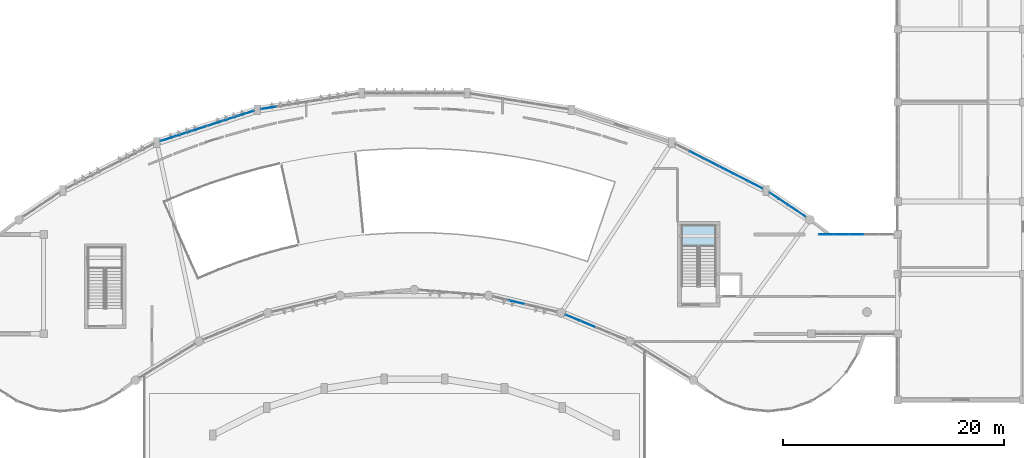
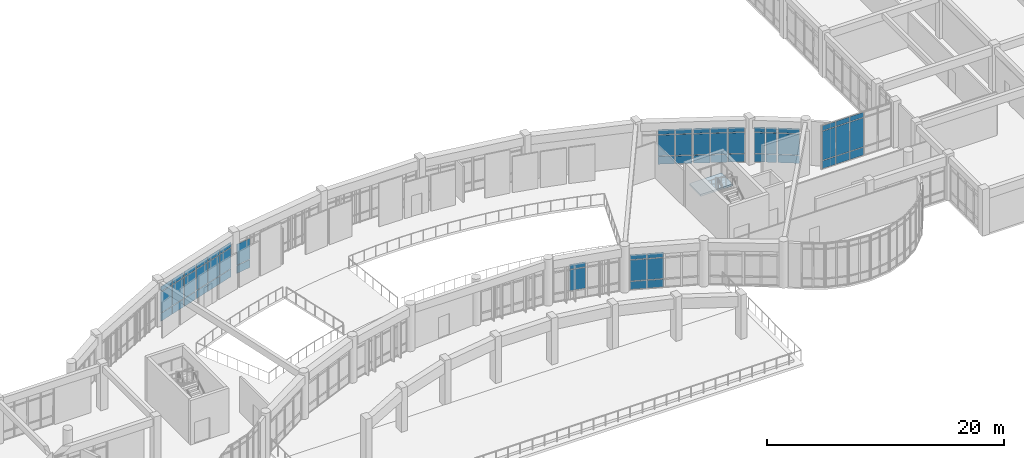
# One storey, part 42 of 65: 61 plates, 1 slab, 11 elements without a shape of their own.
"""IFC4 building model written with IfcOpenShell, lengths in metres."""

from ifc_helpers import new_model, si_unit, direction, frame, origin, origin_2d, place, context, subcontext, project, spatial, polyline, rectangle, outline, extrude, material, layer, layer_set, type_object, element, aggregate, save


model = new_model("IFC4")

# Units and contexts
model_context = context("Model", 3, precision=1e-05, world=origin(), true_north=direction((0.0, 1.0)))
body_context = subcontext(model_context, "Body", "Model", "MODEL_VIEW")
ifc_project = project(units=[si_unit("LENGTHUNIT", "METRE"), si_unit("AREAUNIT", "SQUARE_METRE"), si_unit("VOLUMEUNIT", "CUBIC_METRE"), si_unit("PLANEANGLEUNIT", "RADIAN"), si_unit("MASSUNIT", "GRAM", prefix="KILO")], contexts=[model_context])

# Site, building, storey
site_placement = place(None, origin())
site = spatial("IfcSite", under=ifc_project, at=site_placement, CompositionType="ELEMENT")
building_placement = place(site_placement, origin())
building = spatial("IfcBuilding", under=site, at=building_placement, Name="Miralva Faculty of Natural Sciences", CompositionType="ELEMENT")
storey_placement = place(building_placement, frame((0.0, 0.0, 10.199951171875)))
storey = spatial("IfcBuildingStorey", under=building, at=storey_placement, Name="L02", CompositionType="ELEMENT", Elevation=10.199951171875)

# Curtain wall, plates
ifc_material_1 = material(Name="Laminated solar-control glass", Category="glass")
ifc_layer_1 = layer(ifc_material_1, 0.179931640625, Name="CW-ARC-L01")
ifc_layer_set_1 = layer_set([ifc_layer_1], Name="Laminated solar-control glass")
curtain_wall_type_1 = type_object("IfcCurtainWallType", Name="CW-ARC-L01", PredefinedType="USERDEFINED", material=ifc_layer_set_1)
curtain_wall_1_placement = place(storey_placement, origin())
curtain_wall_1 = element("IfcCurtainWall", 1, at=curtain_wall_1_placement, inside=storey, type_object=curtain_wall_type_1, Name="Curtain wall CW-02 L02-71", ObjectType="UNITISED CURTAIN WALL", PredefinedType="USERDEFINED")
ifc_layer_2 = layer(ifc_material_1, 0.028076171875, Name="PNL-P01")
ifc_layer_set_2 = layer_set([ifc_layer_2], Name="Laminated solar-control glass")
plate_type = type_object("IfcPlateType", Name="PNL-P01", PredefinedType="CURTAIN_PANEL", material=ifc_layer_set_2)
plate_1_placement = place(storey_placement, frame((99.267333984375, 20.860595703125, 0.9326171875), z_axis=(0.0, 0.0, 1.0), x_axis=(0.972367185898, -0.233456753574, 0.0)))
plate_1 = element("IfcPlate", 2, at=plate_1_placement, type_object=plate_type, Name="CW-02 panel 2.2", PredefinedType="CURTAIN_PANEL", context=body_context, shape_type="SweptSolid", body=[
    extrude(rectangle(XDim=1.391845703125, YDim=0.028076171875, at=origin_2d()), origin(), (0.0, 0.0, 1.0), 2.139892578125),
])
plate_2_placement = place(storey_placement, frame((99.267333984375, 20.860595703125, 3.1376953125), z_axis=(0.0, 0.0, 1.0), x_axis=(0.972367185898, -0.233456753574, 0.0)))
plate_2 = element("IfcPlate", 3, at=plate_2_placement, type_object=plate_type, Name="CW-02 panel 2.3", PredefinedType="CURTAIN_PANEL", context=body_context, shape_type="SweptSolid", body=[
    extrude(rectangle(XDim=1.391845703125, YDim=0.028076171875, at=origin_2d()), origin(), (0.0, 0.0, 1.0), 0.50244140625),
])
aggregate(curtain_wall_1, [plate_1, plate_2])

curtain_wall_2_placement = place(storey_placement, origin())
curtain_wall_2 = element("IfcCurtainWall", 4, at=curtain_wall_2_placement, inside=storey, type_object=curtain_wall_type_1, Name="Curtain wall CW-02 L02-73", ObjectType="UNITISED CURTAIN WALL", PredefinedType="USERDEFINED")
plate_3_placement = place(storey_placement, frame((104.36962890625, 19.447265625, 0.06494140625), z_axis=(0.0, 0.0, 1.0), x_axis=(0.9238907876, -0.382656259046, 0.0)))
plate_3 = element("IfcPlate", 5, at=plate_3_placement, type_object=plate_type, Name="CW-02 panel 1.1", PredefinedType="CURTAIN_PANEL", context=body_context, shape_type="SweptSolid", body=[
    extrude(rectangle(XDim=1.3818359375, YDim=0.028076171875, at=origin_2d()), origin(), (0.0, 0.0, 1.0), 0.802490234375),
])
plate_4_placement = place(storey_placement, frame((104.36962890625, 19.447265625, 0.9326171875), z_axis=(0.0, 0.0, 1.0), x_axis=(0.9238907876, -0.382656259046, 0.0)))
plate_4 = element("IfcPlate", 6, at=plate_4_placement, type_object=plate_type, Name="CW-02 panel 1.2", PredefinedType="CURTAIN_PANEL", context=body_context, shape_type="SweptSolid", body=[
    extrude(rectangle(XDim=1.3818359375, YDim=0.028076171875, at=origin_2d()), origin(), (0.0, 0.0, 1.0), 2.139892578125),
])
plate_5_placement = place(storey_placement, frame((104.36962890625, 19.447265625, 3.1376953125), z_axis=(0.0, 0.0, 1.0), x_axis=(0.9238907876, -0.382656259046, 0.0)))
plate_5 = element("IfcPlate", 7, at=plate_5_placement, type_object=plate_type, Name="CW-02 panel 1.3", PredefinedType="CURTAIN_PANEL", context=body_context, shape_type="SweptSolid", body=[
    extrude(rectangle(XDim=1.3818359375, YDim=0.028076171875, at=origin_2d()), origin(), (0.0, 0.0, 1.0), 0.50244140625),
])
plate_6_placement = place(storey_placement, frame((105.706298828125, 18.8935546875, 0.06494140625), z_axis=(0.0, 0.0, 1.0), x_axis=(0.9238907876, -0.382656259046, 0.0)))
plate_6 = element("IfcPlate", 8, at=plate_6_placement, type_object=plate_type, Name="CW-02 panel 2.1", PredefinedType="CURTAIN_PANEL", context=body_context, shape_type="SweptSolid", body=[
    extrude(rectangle(XDim=1.3818359375, YDim=0.028076171875, at=origin_2d()), origin(), (0.0, 0.0, 1.0), 0.802490234375),
])
plate_7_placement = place(storey_placement, frame((105.706298828125, 18.8935546875, 0.9326171875), z_axis=(0.0, 0.0, 1.0), x_axis=(0.9238907876, -0.382656259046, 0.0)))
plate_7 = element("IfcPlate", 9, at=plate_7_placement, type_object=plate_type, Name="CW-02 panel 2.2", PredefinedType="CURTAIN_PANEL", context=body_context, shape_type="SweptSolid", body=[
    extrude(rectangle(XDim=1.3818359375, YDim=0.028076171875, at=origin_2d()), origin(), (0.0, 0.0, 1.0), 2.139892578125),
])
plate_8_placement = place(storey_placement, frame((105.706298828125, 18.8935546875, 3.1376953125), z_axis=(0.0, 0.0, 1.0), x_axis=(0.9238907876, -0.382656259046, 0.0)))
plate_8 = element("IfcPlate", 10, at=plate_8_placement, type_object=plate_type, Name="CW-02 panel 2.3", PredefinedType="CURTAIN_PANEL", context=body_context, shape_type="SweptSolid", body=[
    extrude(rectangle(XDim=1.3818359375, YDim=0.028076171875, at=origin_2d()), origin(), (0.0, 0.0, 1.0), 0.50244140625),
])
aggregate(curtain_wall_2, [plate_3, plate_4, plate_5, plate_6, plate_7, plate_8])

curtain_wall_3_placement = place(storey_placement, origin())
curtain_wall_3 = element("IfcCurtainWall", 11, at=curtain_wall_3_placement, inside=storey, type_object=curtain_wall_type_1, Name="Curtain wall CW-02 L02-81", ObjectType="UNITISED CURTAIN WALL", PredefinedType="USERDEFINED")
plate_9_placement = place(storey_placement, frame((67.6640625, 35.68408203125, 0.06005859375), z_axis=(0.0, 0.0, 1.0), x_axis=(0.951058446626, 0.309011053363, 0.0)))
plate_9 = element("IfcPlate", 12, at=plate_9_placement, type_object=plate_type, Name="CW-02 panel 1.1", PredefinedType="CURTAIN_PANEL", context=body_context, shape_type="SweptSolid", body=[
    extrude(rectangle(XDim=1.3994140625, YDim=0.028076171875, at=origin_2d()), origin(), (0.0, 0.0, 1.0), 0.81005859375),
])
plate_10_placement = place(storey_placement, frame((67.6640625, 35.68408203125, 0.929931640625), z_axis=(0.0, 0.0, 1.0), x_axis=(0.951058446626, 0.309011053363, 0.0)))
plate_10 = element("IfcPlate", 13, at=plate_10_placement, type_object=plate_type, Name="CW-02 panel 1.2", PredefinedType="CURTAIN_PANEL", context=body_context, shape_type="SweptSolid", body=[
    extrude(rectangle(XDim=1.3994140625, YDim=0.028076171875, at=origin_2d()), origin(), (0.0, 0.0, 1.0), 2.14501953125),
])
plate_11_placement = place(storey_placement, frame((67.6640625, 35.68408203125, 3.13525390625), z_axis=(0.0, 0.0, 1.0), x_axis=(0.951058446626, 0.309011053363, 0.0)))
plate_11 = element("IfcPlate", 14, at=plate_11_placement, type_object=plate_type, Name="CW-02 panel 1.3", PredefinedType="CURTAIN_PANEL", context=body_context, shape_type="SweptSolid", body=[
    extrude(rectangle(XDim=1.3994140625, YDim=0.028076171875, at=origin_2d()), origin(), (0.0, 0.0, 1.0), 0.510009765625),
])
plate_12_placement = place(storey_placement, frame((69.072509765625, 36.1416015625, 0.06005859375), z_axis=(0.0, 0.0, 1.0), x_axis=(0.951058446626, 0.309011053363, 0.0)))
plate_12 = element("IfcPlate", 15, at=plate_12_placement, type_object=plate_type, Name="CW-02 panel 2.1", PredefinedType="CURTAIN_PANEL", context=body_context, shape_type="SweptSolid", body=[
    extrude(rectangle(XDim=1.43212890625, YDim=0.028076171875, at=origin_2d()), origin(), (0.0, 0.0, 1.0), 0.81005859375),
])
plate_13_placement = place(storey_placement, frame((69.072509765625, 36.1416015625, 0.929931640625), z_axis=(0.0, 0.0, 1.0), x_axis=(0.951058446626, 0.309011053363, 0.0)))
plate_13 = element("IfcPlate", 16, at=plate_13_placement, type_object=plate_type, Name="CW-02 panel 2.2", PredefinedType="CURTAIN_PANEL", context=body_context, shape_type="SweptSolid", body=[
    extrude(rectangle(XDim=1.43212890625, YDim=0.028076171875, at=origin_2d()), origin(), (0.0, 0.0, 1.0), 2.14501953125),
])
plate_14_placement = place(storey_placement, frame((69.072509765625, 36.1416015625, 3.13525390625), z_axis=(0.0, 0.0, 1.0), x_axis=(0.951058446626, 0.309011053363, 0.0)))
plate_14 = element("IfcPlate", 17, at=plate_14_placement, type_object=plate_type, Name="CW-02 panel 2.3", PredefinedType="CURTAIN_PANEL", context=body_context, shape_type="SweptSolid", body=[
    extrude(rectangle(XDim=1.43212890625, YDim=0.028076171875, at=origin_2d()), origin(), (0.0, 0.0, 1.0), 0.510009765625),
])
plate_15_placement = place(storey_placement, frame((70.480712890625, 36.599365234375, 0.06005859375), z_axis=(0.0, 0.0, 1.0), x_axis=(0.951058446626, 0.309011053363, 0.0)))
plate_15 = element("IfcPlate", 18, at=plate_15_placement, type_object=plate_type, Name="CW-02 panel 3.1", PredefinedType="CURTAIN_PANEL", context=body_context, shape_type="SweptSolid", body=[
    extrude(rectangle(XDim=1.3994140625, YDim=0.028076171875, at=origin_2d()), origin(), (0.0, 0.0, 1.0), 0.81005859375),
])
plate_16_placement = place(storey_placement, frame((70.480712890625, 36.599365234375, 0.929931640625), z_axis=(0.0, 0.0, 1.0), x_axis=(0.951058446626, 0.309011053363, 0.0)))
plate_16 = element("IfcPlate", 19, at=plate_16_placement, type_object=plate_type, Name="CW-02 panel 3.2", PredefinedType="CURTAIN_PANEL", context=body_context, shape_type="SweptSolid", body=[
    extrude(rectangle(XDim=1.3994140625, YDim=0.028076171875, at=origin_2d()), origin(), (0.0, 0.0, 1.0), 2.14501953125),
])
plate_17_placement = place(storey_placement, frame((70.480712890625, 36.599365234375, 3.13525390625), z_axis=(0.0, 0.0, 1.0), x_axis=(0.951058446626, 0.309011053363, 0.0)))
plate_17 = element("IfcPlate", 20, at=plate_17_placement, type_object=plate_type, Name="CW-02 panel 3.3", PredefinedType="CURTAIN_PANEL", context=body_context, shape_type="SweptSolid", body=[
    extrude(rectangle(XDim=1.3994140625, YDim=0.028076171875, at=origin_2d()), origin(), (0.0, 0.0, 1.0), 0.510009765625),
])
aggregate(curtain_wall_3, [plate_9, plate_10, plate_11, plate_12, plate_13, plate_14, plate_15, plate_16, plate_17])

curtain_wall_4_placement = place(storey_placement, origin())
curtain_wall_4 = element("IfcCurtainWall", 21, at=curtain_wall_4_placement, inside=storey, type_object=curtain_wall_type_1, Name="Curtain wall CW-02 L02-82", ObjectType="UNITISED CURTAIN WALL", PredefinedType="USERDEFINED")
plate_18_placement = place(storey_placement, frame((71.931396484375, 37.070556640625, 0.06005859375), z_axis=(0.0, 0.0, 1.0), x_axis=(0.95106021738, 0.309005603375, 0.0)))
plate_18 = element("IfcPlate", 22, at=plate_18_placement, type_object=plate_type, Name="CW-02 panel 1.1", PredefinedType="CURTAIN_PANEL", context=body_context, shape_type="SweptSolid", body=[
    extrude(rectangle(XDim=1.401123046875, YDim=0.028076171875, at=origin_2d()), origin(), (0.0, 0.0, 1.0), 0.81005859375),
])
plate_19_placement = place(storey_placement, frame((71.931396484375, 37.070556640625, 0.929931640625), z_axis=(0.0, 0.0, 1.0), x_axis=(0.95106021738, 0.309005603375, 0.0)))
plate_19 = element("IfcPlate", 23, at=plate_19_placement, type_object=plate_type, Name="CW-02 panel 1.2", PredefinedType="CURTAIN_PANEL", context=body_context, shape_type="SweptSolid", body=[
    extrude(rectangle(XDim=1.401123046875, YDim=0.028076171875, at=origin_2d()), origin(), (0.0, 0.0, 1.0), 2.14501953125),
])
plate_20_placement = place(storey_placement, frame((71.931396484375, 37.070556640625, 3.13525390625), z_axis=(0.0, 0.0, 1.0), x_axis=(0.95106021738, 0.309005603375, 0.0)))
plate_20 = element("IfcPlate", 24, at=plate_20_placement, type_object=plate_type, Name="CW-02 panel 1.3", PredefinedType="CURTAIN_PANEL", context=body_context, shape_type="SweptSolid", body=[
    extrude(rectangle(XDim=1.401123046875, YDim=0.028076171875, at=origin_2d()), origin(), (0.0, 0.0, 1.0), 0.510009765625),
])
plate_21_placement = place(storey_placement, frame((73.34130859375, 37.52880859375, 0.06005859375), z_axis=(0.0, 0.0, 1.0), x_axis=(0.95106021738, 0.309005603375, 0.0)))
plate_21 = element("IfcPlate", 25, at=plate_21_placement, type_object=plate_type, Name="CW-02 panel 2.1", PredefinedType="CURTAIN_PANEL", context=body_context, shape_type="SweptSolid", body=[
    extrude(rectangle(XDim=1.43359375, YDim=0.028076171875, at=origin_2d()), origin(), (0.0, 0.0, 1.0), 0.81005859375),
])
plate_22_placement = place(storey_placement, frame((73.34130859375, 37.52880859375, 0.929931640625), z_axis=(0.0, 0.0, 1.0), x_axis=(0.95106021738, 0.309005603375, 0.0)))
plate_22 = element("IfcPlate", 26, at=plate_22_placement, type_object=plate_type, Name="CW-02 panel 2.2", PredefinedType="CURTAIN_PANEL", context=body_context, shape_type="SweptSolid", body=[
    extrude(rectangle(XDim=1.43359375, YDim=0.028076171875, at=origin_2d()), origin(), (0.0, 0.0, 1.0), 2.14501953125),
])
plate_23_placement = place(storey_placement, frame((73.34130859375, 37.52880859375, 3.13525390625), z_axis=(0.0, 0.0, 1.0), x_axis=(0.95106021738, 0.309005603375, 0.0)))
plate_23 = element("IfcPlate", 27, at=plate_23_placement, type_object=plate_type, Name="CW-02 panel 2.3", PredefinedType="CURTAIN_PANEL", context=body_context, shape_type="SweptSolid", body=[
    extrude(rectangle(XDim=1.43359375, YDim=0.028076171875, at=origin_2d()), origin(), (0.0, 0.0, 1.0), 0.510009765625),
])
plate_24_placement = place(storey_placement, frame((74.751220703125, 37.98681640625, 0.06005859375), z_axis=(0.0, 0.0, 1.0), x_axis=(0.95106021738, 0.309005603375, 0.0)))
plate_24 = element("IfcPlate", 28, at=plate_24_placement, type_object=plate_type, Name="CW-02 panel 3.1", PredefinedType="CURTAIN_PANEL", context=body_context, shape_type="SweptSolid", body=[
    extrude(rectangle(XDim=1.401123046875, YDim=0.028076171875, at=origin_2d()), origin(), (0.0, 0.0, 1.0), 0.81005859375),
])
plate_25_placement = place(storey_placement, frame((74.751220703125, 37.98681640625, 0.929931640625), z_axis=(0.0, 0.0, 1.0), x_axis=(0.95106021738, 0.309005603375, 0.0)))
plate_25 = element("IfcPlate", 29, at=plate_25_placement, type_object=plate_type, Name="CW-02 panel 3.2", PredefinedType="CURTAIN_PANEL", context=body_context, shape_type="SweptSolid", body=[
    extrude(rectangle(XDim=1.401123046875, YDim=0.028076171875, at=origin_2d()), origin(), (0.0, 0.0, 1.0), 2.14501953125),
])
plate_26_placement = place(storey_placement, frame((74.751220703125, 37.98681640625, 3.13525390625), z_axis=(0.0, 0.0, 1.0), x_axis=(0.95106021738, 0.309005603375, 0.0)))
plate_26 = element("IfcPlate", 30, at=plate_26_placement, type_object=plate_type, Name="CW-02 panel 3.3", PredefinedType="CURTAIN_PANEL", context=body_context, shape_type="SweptSolid", body=[
    extrude(rectangle(XDim=1.401123046875, YDim=0.028076171875, at=origin_2d()), origin(), (0.0, 0.0, 1.0), 0.510009765625),
])
aggregate(curtain_wall_4, [plate_18, plate_19, plate_20, plate_21, plate_22, plate_23, plate_24, plate_25, plate_26])

curtain_wall_5_placement = place(storey_placement, origin())
curtain_wall_5 = element("IfcCurtainWall", 31, at=curtain_wall_5_placement, inside=storey, type_object=curtain_wall_type_1, Name="Curtain wall CW-02 L02-83", ObjectType="UNITISED CURTAIN WALL", PredefinedType="USERDEFINED")
plate_27_placement = place(storey_placement, frame((76.79833984375, 38.47900390625, 0.06005859375), z_axis=(0.0, 0.0, 1.0), x_axis=(0.987688816642, 0.156431459367, 0.0)))
plate_27 = element("IfcPlate", 32, at=plate_27_placement, type_object=plate_type, Name="CW-02 panel 1.1", PredefinedType="CURTAIN_PANEL", context=body_context, shape_type="SweptSolid", body=[
    extrude(rectangle(XDim=1.40283203125, YDim=0.028076171875, at=origin_2d()), origin(), (0.0, 0.0, 1.0), 0.81005859375),
])
plate_28_placement = place(storey_placement, frame((76.79833984375, 38.47900390625, 0.929931640625), z_axis=(0.0, 0.0, 1.0), x_axis=(0.987688816642, 0.156431459367, 0.0)))
plate_28 = element("IfcPlate", 33, at=plate_28_placement, type_object=plate_type, Name="CW-02 panel 1.2", PredefinedType="CURTAIN_PANEL", context=body_context, shape_type="SweptSolid", body=[
    extrude(rectangle(XDim=1.40283203125, YDim=0.028076171875, at=origin_2d()), origin(), (0.0, 0.0, 1.0), 2.14501953125),
])
aggregate(curtain_wall_5, [plate_27, plate_28])

curtain_wall_6_placement = place(storey_placement, origin())
curtain_wall_6 = element("IfcCurtainWall", 34, at=curtain_wall_6_placement, inside=storey, type_object=curtain_wall_type_1, Name="Curtain wall CW-02 L02-89", ObjectType="UNITISED CURTAIN WALL", PredefinedType="USERDEFINED")
plate_29_placement = place(storey_placement, frame((115.6162109375, 34.19873046875, 0.06005859375), z_axis=(0.0, 0.0, 1.0), x_axis=(0.891015257812, -0.453973358631, 0.0)))
plate_29 = element("IfcPlate", 35, at=plate_29_placement, type_object=plate_type, Name="CW-02 panel 2.1", PredefinedType="CURTAIN_PANEL", context=body_context, shape_type="SweptSolid", body=[
    extrude(rectangle(XDim=1.42529296875, YDim=0.028076171875, at=origin_2d()), origin(), (0.0, 0.0, 1.0), 0.81005859375),
])
plate_30_placement = place(storey_placement, frame((115.6162109375, 34.19873046875, 0.929931640625), z_axis=(0.0, 0.0, 1.0), x_axis=(0.891015257812, -0.453973358631, 0.0)))
plate_30 = element("IfcPlate", 36, at=plate_30_placement, type_object=plate_type, Name="CW-02 panel 2.2", PredefinedType="CURTAIN_PANEL", context=body_context, shape_type="SweptSolid", body=[
    extrude(rectangle(XDim=1.42529296875, YDim=0.028076171875, at=origin_2d()), origin(), (0.0, 0.0, 1.0), 2.14501953125),
])
plate_31_placement = place(storey_placement, frame((115.6162109375, 34.19873046875, 3.13525390625), z_axis=(0.0, 0.0, 1.0), x_axis=(0.891015257812, -0.453973358631, 0.0)))
plate_31 = element("IfcPlate", 37, at=plate_31_placement, type_object=plate_type, Name="CW-02 panel 2.3", PredefinedType="CURTAIN_PANEL", context=body_context, shape_type="SweptSolid", body=[
    extrude(rectangle(XDim=1.42529296875, YDim=0.028076171875, at=origin_2d()), origin(), (0.0, 0.0, 1.0), 0.510009765625),
])
plate_32_placement = place(storey_placement, frame((116.9296875, 33.529541015625, 0.06005859375), z_axis=(0.0, 0.0, 1.0), x_axis=(0.891015257812, -0.453973358631, 0.0)))
plate_32 = element("IfcPlate", 38, at=plate_32_placement, type_object=plate_type, Name="CW-02 panel 3.1", PredefinedType="CURTAIN_PANEL", context=body_context, shape_type="SweptSolid", body=[
    extrude(rectangle(XDim=1.392822265625, YDim=0.028076171875, at=origin_2d()), origin(), (0.0, 0.0, 1.0), 0.81005859375),
])
plate_33_placement = place(storey_placement, frame((116.9296875, 33.529541015625, 0.929931640625), z_axis=(0.0, 0.0, 1.0), x_axis=(0.891015257812, -0.453973358631, 0.0)))
plate_33 = element("IfcPlate", 39, at=plate_33_placement, type_object=plate_type, Name="CW-02 panel 3.2", PredefinedType="CURTAIN_PANEL", context=body_context, shape_type="SweptSolid", body=[
    extrude(rectangle(XDim=1.392822265625, YDim=0.028076171875, at=origin_2d()), origin(), (0.0, 0.0, 1.0), 2.14501953125),
])
plate_34_placement = place(storey_placement, frame((116.9296875, 33.529541015625, 3.13525390625), z_axis=(0.0, 0.0, 1.0), x_axis=(0.891015257812, -0.453973358631, 0.0)))
plate_34 = element("IfcPlate", 40, at=plate_34_placement, type_object=plate_type, Name="CW-02 panel 3.3", PredefinedType="CURTAIN_PANEL", context=body_context, shape_type="SweptSolid", body=[
    extrude(rectangle(XDim=1.392822265625, YDim=0.028076171875, at=origin_2d()), origin(), (0.0, 0.0, 1.0), 0.510009765625),
])
aggregate(curtain_wall_6, [plate_29, plate_30, plate_31, plate_32, plate_33, plate_34])

curtain_wall_7_placement = place(storey_placement, origin())
curtain_wall_7 = element("IfcCurtainWall", 41, at=curtain_wall_7_placement, inside=storey, type_object=curtain_wall_type_1, Name="Curtain wall CW-02 L02-90", ObjectType="UNITISED CURTAIN WALL", PredefinedType="USERDEFINED")
plate_35_placement = place(storey_placement, frame((118.28271484375, 32.840087890625, 0.06005859375), z_axis=(0.0, 0.0, 1.0), x_axis=(0.891000961211, -0.454001417532, 0.0)))
plate_35 = element("IfcPlate", 42, at=plate_35_placement, type_object=plate_type, Name="CW-02 panel 1.1", PredefinedType="CURTAIN_PANEL", context=body_context, shape_type="SweptSolid", body=[
    extrude(rectangle(XDim=1.39453125, YDim=0.028076171875, at=origin_2d()), origin(), (0.0, 0.0, 1.0), 0.81005859375),
])
plate_36_placement = place(storey_placement, frame((118.28271484375, 32.840087890625, 0.929931640625), z_axis=(0.0, 0.0, 1.0), x_axis=(0.891000961211, -0.454001417532, 0.0)))
plate_36 = element("IfcPlate", 43, at=plate_36_placement, type_object=plate_type, Name="CW-02 panel 1.2", PredefinedType="CURTAIN_PANEL", context=body_context, shape_type="SweptSolid", body=[
    extrude(rectangle(XDim=1.39453125, YDim=0.028076171875, at=origin_2d()), origin(), (0.0, 0.0, 1.0), 2.14501953125),
])
plate_37_placement = place(storey_placement, frame((118.28271484375, 32.840087890625, 3.13525390625), z_axis=(0.0, 0.0, 1.0), x_axis=(0.891000961211, -0.454001417532, 0.0)))
plate_37 = element("IfcPlate", 44, at=plate_37_placement, type_object=plate_type, Name="CW-02 panel 1.3", PredefinedType="CURTAIN_PANEL", context=body_context, shape_type="SweptSolid", body=[
    extrude(rectangle(XDim=1.39453125, YDim=0.028076171875, at=origin_2d()), origin(), (0.0, 0.0, 1.0), 0.510009765625),
])
plate_38_placement = place(storey_placement, frame((119.59765625, 32.170166015625, 0.06005859375), z_axis=(0.0, 0.0, 1.0), x_axis=(0.891000961211, -0.454001417532, 0.0)))
plate_38 = element("IfcPlate", 45, at=plate_38_placement, type_object=plate_type, Name="CW-02 panel 2.1", PredefinedType="CURTAIN_PANEL", context=body_context, shape_type="SweptSolid", body=[
    extrude(rectangle(XDim=1.427001953125, YDim=0.028076171875, at=origin_2d()), origin(), (0.0, 0.0, 1.0), 0.81005859375),
])
plate_39_placement = place(storey_placement, frame((119.59765625, 32.170166015625, 0.929931640625), z_axis=(0.0, 0.0, 1.0), x_axis=(0.891000961211, -0.454001417532, 0.0)))
plate_39 = element("IfcPlate", 46, at=plate_39_placement, type_object=plate_type, Name="CW-02 panel 2.2", PredefinedType="CURTAIN_PANEL", context=body_context, shape_type="SweptSolid", body=[
    extrude(rectangle(XDim=1.427001953125, YDim=0.028076171875, at=origin_2d()), origin(), (0.0, 0.0, 1.0), 2.14501953125),
])
plate_40_placement = place(storey_placement, frame((119.59765625, 32.170166015625, 3.13525390625), z_axis=(0.0, 0.0, 1.0), x_axis=(0.891000961211, -0.454001417532, 0.0)))
plate_40 = element("IfcPlate", 47, at=plate_40_placement, type_object=plate_type, Name="CW-02 panel 2.3", PredefinedType="CURTAIN_PANEL", context=body_context, shape_type="SweptSolid", body=[
    extrude(rectangle(XDim=1.427001953125, YDim=0.028076171875, at=origin_2d()), origin(), (0.0, 0.0, 1.0), 0.510009765625),
])
plate_41_placement = place(storey_placement, frame((120.91259765625, 31.500244140625, 0.06005859375), z_axis=(0.0, 0.0, 1.0), x_axis=(0.891000961211, -0.454001417532, 0.0)))
plate_41 = element("IfcPlate", 48, at=plate_41_placement, type_object=plate_type, Name="CW-02 panel 3.1", PredefinedType="CURTAIN_PANEL", context=body_context, shape_type="SweptSolid", body=[
    extrude(rectangle(XDim=1.39453125, YDim=0.028076171875, at=origin_2d()), origin(), (0.0, 0.0, 1.0), 0.81005859375),
])
plate_42_placement = place(storey_placement, frame((120.91259765625, 31.500244140625, 0.929931640625), z_axis=(0.0, 0.0, 1.0), x_axis=(0.891000961211, -0.454001417532, 0.0)))
plate_42 = element("IfcPlate", 49, at=plate_42_placement, type_object=plate_type, Name="CW-02 panel 3.2", PredefinedType="CURTAIN_PANEL", context=body_context, shape_type="SweptSolid", body=[
    extrude(rectangle(XDim=1.39453125, YDim=0.028076171875, at=origin_2d()), origin(), (0.0, 0.0, 1.0), 2.14501953125),
])
plate_43_placement = place(storey_placement, frame((120.91259765625, 31.500244140625, 3.13525390625), z_axis=(0.0, 0.0, 1.0), x_axis=(0.891000961211, -0.454001417532, 0.0)))
plate_43 = element("IfcPlate", 50, at=plate_43_placement, type_object=plate_type, Name="CW-02 panel 3.3", PredefinedType="CURTAIN_PANEL", context=body_context, shape_type="SweptSolid", body=[
    extrude(rectangle(XDim=1.39453125, YDim=0.028076171875, at=origin_2d()), origin(), (0.0, 0.0, 1.0), 0.510009765625),
])
aggregate(curtain_wall_7, [plate_35, plate_36, plate_37, plate_38, plate_39, plate_40, plate_41, plate_42, plate_43])

curtain_wall_8_placement = place(storey_placement, origin())
curtain_wall_8 = element("IfcCurtainWall", 51, at=curtain_wall_8_placement, inside=storey, type_object=curtain_wall_type_1, Name="Curtain wall CW-02 L02-91", ObjectType="UNITISED CURTAIN WALL", PredefinedType="USERDEFINED")
plate_44_placement = place(storey_placement, frame((122.598876953125, 30.525634765625, 0.06005859375), z_axis=(0.0, 0.0, 1.0), x_axis=(0.831456918339, -0.555589230409, 0.0)))
plate_44 = element("IfcPlate", 52, at=plate_44_placement, type_object=plate_type, Name="CW-02 panel 1.1", PredefinedType="CURTAIN_PANEL", context=body_context, shape_type="SweptSolid", body=[
    extrude(rectangle(XDim=0.927490234375, YDim=0.028076171875, at=origin_2d()), origin(), (0.0, 0.0, 1.0), 0.81005859375),
])
plate_45_placement = place(storey_placement, frame((122.598876953125, 30.525634765625, 0.929931640625), z_axis=(0.0, 0.0, 1.0), x_axis=(0.831456918339, -0.555589230409, 0.0)))
plate_45 = element("IfcPlate", 53, at=plate_45_placement, type_object=plate_type, Name="CW-02 panel 1.2", PredefinedType="CURTAIN_PANEL", context=body_context, shape_type="SweptSolid", body=[
    extrude(rectangle(XDim=0.927490234375, YDim=0.028076171875, at=origin_2d()), origin(), (0.0, 0.0, 1.0), 2.14501953125),
])
plate_46_placement = place(storey_placement, frame((122.598876953125, 30.525634765625, 3.13525390625), z_axis=(0.0, 0.0, 1.0), x_axis=(0.831456918339, -0.555589230409, 0.0)))
plate_46 = element("IfcPlate", 54, at=plate_46_placement, type_object=plate_type, Name="CW-02 panel 1.3", PredefinedType="CURTAIN_PANEL", context=body_context, shape_type="SweptSolid", body=[
    extrude(rectangle(XDim=0.927490234375, YDim=0.028076171875, at=origin_2d()), origin(), (0.0, 0.0, 1.0), 0.510009765625),
])
plate_47_placement = place(storey_placement, frame((123.424072265625, 29.974365234375, 0.06005859375), z_axis=(0.0, 0.0, 1.0), x_axis=(0.831456918339, -0.555589230409, 0.0)))
plate_47 = element("IfcPlate", 55, at=plate_47_placement, type_object=plate_type, Name="CW-02 panel 2.1", PredefinedType="CURTAIN_PANEL", context=body_context, shape_type="SweptSolid", body=[
    extrude(rectangle(XDim=0.927490234375, YDim=0.028076171875, at=origin_2d()), origin(), (0.0, 0.0, 1.0), 0.81005859375),
])
plate_48_placement = place(storey_placement, frame((123.424072265625, 29.974365234375, 0.929931640625), z_axis=(0.0, 0.0, 1.0), x_axis=(0.831456918339, -0.555589230409, 0.0)))
plate_48 = element("IfcPlate", 56, at=plate_48_placement, type_object=plate_type, Name="CW-02 panel 2.2", PredefinedType="CURTAIN_PANEL", context=body_context, shape_type="SweptSolid", body=[
    extrude(rectangle(XDim=0.927490234375, YDim=0.028076171875, at=origin_2d()), origin(), (0.0, 0.0, 1.0), 2.14501953125),
])
plate_49_placement = place(storey_placement, frame((123.424072265625, 29.974365234375, 3.13525390625), z_axis=(0.0, 0.0, 1.0), x_axis=(0.831456918339, -0.555589230409, 0.0)))
plate_49 = element("IfcPlate", 57, at=plate_49_placement, type_object=plate_type, Name="CW-02 panel 2.3", PredefinedType="CURTAIN_PANEL", context=body_context, shape_type="SweptSolid", body=[
    extrude(rectangle(XDim=0.927490234375, YDim=0.028076171875, at=origin_2d()), origin(), (0.0, 0.0, 1.0), 0.510009765625),
])
aggregate(curtain_wall_8, [plate_44, plate_45, plate_46, plate_47, plate_48, plate_49])

curtain_wall_9_placement = place(storey_placement, origin())
curtain_wall_9 = element("IfcCurtainWall", 58, at=curtain_wall_9_placement, inside=storey, type_object=curtain_wall_type_1, Name="Curtain wall CW-02 L02-92", ObjectType="UNITISED CURTAIN WALL", PredefinedType="USERDEFINED")
plate_50_placement = place(storey_placement, frame((124.663818359375, 29.145751953125, 0.06005859375), z_axis=(0.0, 0.0, 1.0), x_axis=(0.831485319776, -0.555546724404, 0.0)))
plate_50 = element("IfcPlate", 59, at=plate_50_placement, type_object=plate_type, Name="CW-02 panel 1.1", PredefinedType="CURTAIN_PANEL", context=body_context, shape_type="SweptSolid", body=[
    extrude(rectangle(XDim=1.804931640625, YDim=0.028076171875, at=origin_2d()), origin(), (0.0, 0.0, 1.0), 0.81005859375),
])
plate_51_placement = place(storey_placement, frame((124.663818359375, 29.145751953125, 0.929931640625), z_axis=(0.0, 0.0, 1.0), x_axis=(0.831485319776, -0.555546724404, 0.0)))
plate_51 = element("IfcPlate", 60, at=plate_51_placement, type_object=plate_type, Name="CW-02 panel 1.2", PredefinedType="CURTAIN_PANEL", context=body_context, shape_type="SweptSolid", body=[
    extrude(rectangle(XDim=1.804931640625, YDim=0.028076171875, at=origin_2d()), origin(), (0.0, 0.0, 1.0), 2.14501953125),
])
plate_52_placement = place(storey_placement, frame((124.663818359375, 29.145751953125, 3.13525390625), z_axis=(0.0, 0.0, 1.0), x_axis=(0.831485319776, -0.555546724404, 0.0)))
plate_52 = element("IfcPlate", 61, at=plate_52_placement, type_object=plate_type, Name="CW-02 panel 1.3", PredefinedType="CURTAIN_PANEL", context=body_context, shape_type="SweptSolid", body=[
    extrude(rectangle(XDim=1.804931640625, YDim=0.028076171875, at=origin_2d()), origin(), (0.0, 0.0, 1.0), 0.510009765625),
])
aggregate(curtain_wall_9, [plate_50, plate_51, plate_52])

ifc_layer_3 = layer(ifc_material_1, 0.179931640625, Name="CW-COM-L01")
ifc_layer_set_3 = layer_set([ifc_layer_3], Name="Laminated solar-control glass")
curtain_wall_type_2 = type_object("IfcCurtainWallType", Name="CW-COM-L01", PredefinedType="USERDEFINED", material=ifc_layer_set_3)
curtain_wall_10_placement = place(storey_placement, origin())
curtain_wall_10 = element("IfcCurtainWall", 62, at=curtain_wall_10_placement, inside=storey, type_object=curtain_wall_type_2, Name="Curtain wall CW-10 L02-299", ObjectType="UNITISED CURTAIN WALL", PredefinedType="USERDEFINED")
plate_53_placement = place(storey_placement, frame((127.319580078125, 27.0, 0.06005859375), z_axis=(0.0, 0.0, 1.0), x_axis=(1.0, 0.0, 0.0)))
plate_53 = element("IfcPlate", 63, at=plate_53_placement, type_object=plate_type, Name="CW-10 panel 1.1", PredefinedType="CURTAIN_PANEL", context=body_context, shape_type="SweptSolid", body=[
    extrude(rectangle(XDim=1.279052734375, YDim=0.028076171875, at=origin_2d()), origin(), (0.0, 0.0, 1.0), 0.81005859375),
])
plate_54_placement = place(storey_placement, frame((127.319580078125, 27.0, 0.93017578125), z_axis=(0.0, 0.0, 1.0), x_axis=(1.0, 0.0, 0.0)))
plate_54 = element("IfcPlate", 64, at=plate_54_placement, type_object=plate_type, Name="CW-10 panel 1.2", PredefinedType="CURTAIN_PANEL", context=body_context, shape_type="SweptSolid", body=[
    extrude(rectangle(XDim=1.279052734375, YDim=0.028076171875, at=origin_2d()), origin(), (0.0, 0.0, 1.0), 2.989990234375),
])
plate_55_placement = place(storey_placement, frame((127.319580078125, 27.0, 3.97998046875), z_axis=(0.0, 0.0, 1.0), x_axis=(1.0, 0.0, 0.0)))
plate_55 = element("IfcPlate", 65, at=plate_55_placement, type_object=plate_type, Name="CW-10 panel 1.3", PredefinedType="CURTAIN_PANEL", context=body_context, shape_type="SweptSolid", body=[
    extrude(rectangle(XDim=1.279052734375, YDim=0.028076171875, at=origin_2d()), origin(), (0.0, 0.0, 1.0), 0.510009765625),
])
plate_56_placement = place(storey_placement, frame((128.673583984375, 27.0, 0.06005859375), z_axis=(0.0, 0.0, 1.0), x_axis=(1.0, 0.0, 0.0)))
plate_56 = element("IfcPlate", 66, at=plate_56_placement, type_object=plate_type, Name="CW-10 panel 2.1", PredefinedType="CURTAIN_PANEL", context=body_context, shape_type="SweptSolid", body=[
    extrude(rectangle(XDim=1.30908203125, YDim=0.028076171875, at=origin_2d()), origin(), (0.0, 0.0, 1.0), 0.81005859375),
])
plate_57_placement = place(storey_placement, frame((128.673583984375, 27.0, 0.93017578125), z_axis=(0.0, 0.0, 1.0), x_axis=(1.0, 0.0, 0.0)))
plate_57 = element("IfcPlate", 67, at=plate_57_placement, type_object=plate_type, Name="CW-10 panel 2.2", PredefinedType="CURTAIN_PANEL", context=body_context, shape_type="SweptSolid", body=[
    extrude(rectangle(XDim=1.30908203125, YDim=0.028076171875, at=origin_2d()), origin(), (0.0, 0.0, 1.0), 2.989990234375),
])
plate_58_placement = place(storey_placement, frame((128.673583984375, 27.0, 3.97998046875), z_axis=(0.0, 0.0, 1.0), x_axis=(1.0, 0.0, 0.0)))
plate_58 = element("IfcPlate", 68, at=plate_58_placement, type_object=plate_type, Name="CW-10 panel 2.3", PredefinedType="CURTAIN_PANEL", context=body_context, shape_type="SweptSolid", body=[
    extrude(rectangle(XDim=1.30908203125, YDim=0.028076171875, at=origin_2d()), origin(), (0.0, 0.0, 1.0), 0.510009765625),
])
plate_59_placement = place(storey_placement, frame((130.04248046875, 27.0, 0.06005859375), z_axis=(0.0, 0.0, 1.0), x_axis=(1.0, 0.0, 0.0)))
plate_59 = element("IfcPlate", 69, at=plate_59_placement, type_object=plate_type, Name="CW-10 panel 3.1", PredefinedType="CURTAIN_PANEL", context=body_context, shape_type="SweptSolid", body=[
    extrude(rectangle(XDim=1.30908203125, YDim=0.028076171875, at=origin_2d()), origin(), (0.0, 0.0, 1.0), 0.81005859375),
])
plate_60_placement = place(storey_placement, frame((130.04248046875, 27.0, 0.93017578125), z_axis=(0.0, 0.0, 1.0), x_axis=(1.0, 0.0, 0.0)))
plate_60 = element("IfcPlate", 70, at=plate_60_placement, type_object=plate_type, Name="CW-10 panel 3.2", PredefinedType="CURTAIN_PANEL", context=body_context, shape_type="SweptSolid", body=[
    extrude(rectangle(XDim=1.30908203125, YDim=0.028076171875, at=origin_2d()), origin(), (0.0, 0.0, 1.0), 2.989990234375),
])
plate_61_placement = place(storey_placement, frame((130.04248046875, 27.0, 3.97998046875), z_axis=(0.0, 0.0, 1.0), x_axis=(1.0, 0.0, 0.0)))
plate_61 = element("IfcPlate", 71, at=plate_61_placement, type_object=plate_type, Name="CW-10 panel 3.3", PredefinedType="CURTAIN_PANEL", context=body_context, shape_type="SweptSolid", body=[
    extrude(rectangle(XDim=1.30908203125, YDim=0.028076171875, at=origin_2d()), origin(), (0.0, 0.0, 1.0), 0.510009765625),
])
aggregate(curtain_wall_10, [plate_53, plate_54, plate_55, plate_56, plate_57, plate_58, plate_59, plate_60, plate_61])

# Stair, slab
ifc_material_2 = material(Name="Concrete C40/50", Category="concrete")
stair_type = type_object("IfcStairType", Name="ST-CORE-480", PredefinedType="HALF_TURN_STAIR", material=ifc_material_2)
stair_placement = place(storey_placement, origin())
stair = element("IfcStair", 72, at=stair_placement, inside=storey, type_object=stair_type, Name="Exit Stair Core C3 (ST-02) L02", PredefinedType="HALF_TURN_STAIR")
ifc_layer_4 = layer(ifc_material_2, 0.18994140625, Name="SL-LD01")
ifc_layer_set_4 = layer_set([ifc_layer_4], Name="Concrete C40/50")
slab_type = type_object("IfcSlabType", Name="SL-LD01", PredefinedType="LANDING", material=ifc_layer_set_4)
slab_placement = place(storey_placement, frame((0.0, 0.0, 2.2099609375)))
slab = element("IfcSlab", 73, at=slab_placement, type_object=slab_type, Name="ST-02 landing 1", PredefinedType="LANDING", context=body_context, shape_type="SweptSolid", body=[
    extrude(outline(polyline([(117.35009765625, 25.93994140625), (117.35009765625, 27.85009765625), (114.199951171875, 27.85009765625), (114.199951171875, 25.93994140625), (117.35009765625, 25.93994140625)])), origin(), (0.0, 0.0, 1.0), 0.190185546875),
])
aggregate(stair, [slab])

save(model, "model.ifc")
